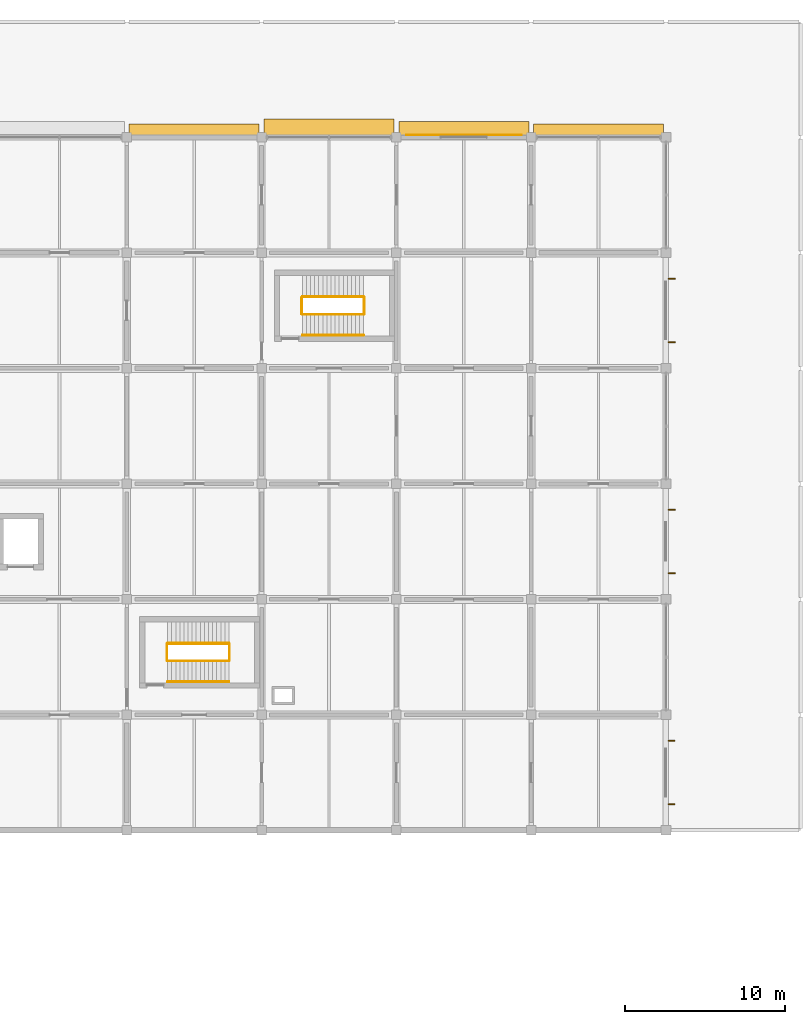
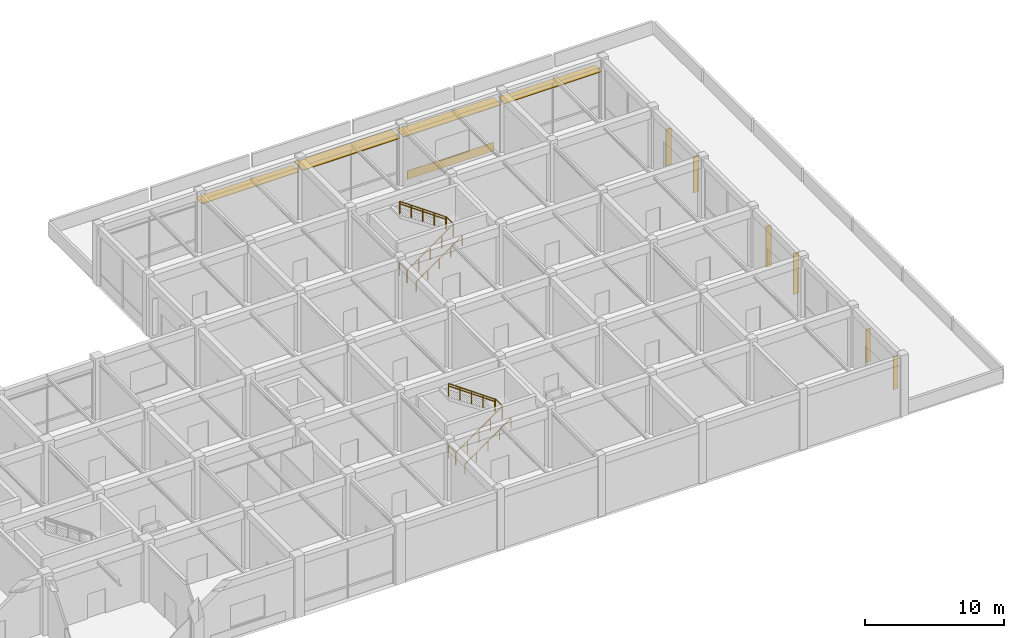
# One storey, part 38 of 38: 12 railings, 10 shading devices, 1 covering.
"""IFC4 building model written with IfcOpenShell, lengths in metres."""

from ifc_helpers import new_model, si_unit, derived_unit, direction, frame, origin, origin_2d, place, context, subcontext, project, spatial, rectangle, circle, extrude, material, layer, layer_set, type_object, element, save


model = new_model("IFC4")

# Units and contexts
model_context = context("Model", 3, precision=1e-05, world=origin(), true_north=direction((0.0, 1.0)))
body_context = subcontext(model_context, "Body", "Model", "MODEL_VIEW")
ifc_project = project(units=[si_unit("LENGTHUNIT", "METRE"), si_unit("AREAUNIT", "SQUARE_METRE"), si_unit("VOLUMEUNIT", "CUBIC_METRE"), si_unit("PLANEANGLEUNIT", "RADIAN"), si_unit("MASSUNIT", "GRAM", prefix="KILO"), derived_unit("THERMALTRANSMITTANCEUNIT", [(si_unit("MASSUNIT", "GRAM", prefix="KILO"), 1), (si_unit("TIMEUNIT", "SECOND"), -3), (si_unit("THERMODYNAMICTEMPERATUREUNIT", "KELVIN"), -1)])], contexts=[model_context])

# Site, building, storey
site_placement = place(None, origin())
site = spatial("IfcSite", under=ifc_project, at=site_placement, CompositionType="ELEMENT")
building_placement = place(site_placement, origin())
building = spatial("IfcBuilding", under=site, at=building_placement, Name="Veldstrom Oceanarium and Marine Research Institute", CompositionType="ELEMENT")
storey_placement = place(building_placement, frame((0.0, 0.0, 11.39990234375)))
storey = spatial("IfcBuildingStorey", under=building, at=storey_placement, Name="L02", CompositionType="ELEMENT", Elevation=11.39990234375)

# Covering
ifc_material_1 = material(Name="Anodised Aluminium Spandrel Rainscreen Cladding", Category="aluminium")
ifc_layer_1 = layer(ifc_material_1, 0.75)
ifc_layer_set_1 = layer_set([ifc_layer_1], Name="ARC-COV-CD1")
covering_type = type_object("IfcCoveringType", Name="ARC-COV-CD1", PredefinedType="CLADDING", material=ifc_layer_set_1)
covering_placement = place(storey_placement, frame((147.0, 86.53857421875, 0.045166015625), z_axis=(0.0, 0.0, 1.0), x_axis=(1.0, 0.0, 0.0)))
element("IfcCovering", 1, at=covering_placement, inside=storey, type_object=covering_type, Name="Spandrel Rainscreen Cladding L02-082", PredefinedType="CLADDING", context=body_context, shape_type="SweptSolid", body=[
    extrude(rectangle(XDim=7.199951171875, YDim=0.034912109375, at=origin_2d()), origin(), (0.0, 0.0, 1.0), 0.75),
])

# Railings
ifc_material_2 = material(Name="Duplex Stainless Steel Balustrade", Category="steel")
ifc_layer_2 = layer(ifc_material_2, 0.06005859375)
ifc_layer_set_2 = layer_set([ifc_layer_2], Name="ARC-RLG-GR1")
railing_type_1 = type_object("IfcRailingType", Name="ARC-RLG-GR1", PredefinedType="GUARDRAIL", material=ifc_layer_set_2)
railing_1_placement = place(storey_placement, frame((128.5, 53.800048828125, 0.0)))
element("IfcRailing", 2, at=railing_1_placement, inside=storey, type_object=railing_type_1, Name="Stair Well Landing Guard ST4 L02", PredefinedType="GUARDRAIL", context=body_context, shape_type="SweptSolid", body=[
    extrude(circle(Radius=0.02392578125, at=origin_2d()), frame((0.0, 0.0, 1.09619140625), z_axis=(0.0, 1.0, 0.0), x_axis=(-1.0, 0.0, 0.0)), (0.0, 0.0, 1.0), 1.0),
    extrude(circle(Radius=0.02099609375, at=origin_2d()), origin(), (0.0, 0.0, 1.0), 1.072021484375),
    extrude(circle(Radius=0.02099609375, at=origin_2d()), frame((0.0, 1.0, 0.0)), (0.0, 0.0, 1.0), 1.072021484375),
])
railing_2_placement = place(storey_placement, frame((128.5400390625, 53.760009765625, 0.0)))
element("IfcRailing", 3, at=railing_2_placement, inside=storey, type_object=railing_type_1, Name="Stair Flight Guardrail ST4-L02-1", PredefinedType="GUARDRAIL", context=body_context, shape_type="SweptSolid", body=[
    extrude(circle(Radius=0.02392578125, at=origin_2d()), frame((0.0, 0.0, 1.09619140625), z_axis=(0.816944740886, 0.0, 0.576715952908), x_axis=(0.0, 1.0, 0.0)), (0.0, 0.0, 1.0), 4.68212890625),
    extrude(circle(Radius=0.02099609375, at=origin_2d()), origin(), (0.0, 0.0, 1.0), 1.072021484375),
    extrude(circle(Radius=0.02099609375, at=origin_2d()), frame((0.956298828125, 0.0, 0.675048828125)), (0.0, 0.0, 1.0), 1.072021484375),
    extrude(circle(Radius=0.02099609375, at=origin_2d()), frame((1.91259765625, 0.0, 1.35009765625)), (0.0, 0.0, 1.0), 1.072021484375),
    extrude(circle(Radius=0.02099609375, at=origin_2d()), frame((2.86865234375, 0.0, 2.025146484375)), (0.0, 0.0, 1.0), 1.072021484375),
    extrude(circle(Radius=0.02099609375, at=origin_2d()), frame((3.824951171875, 0.0, 2.7001953125)), (0.0, 0.0, 1.0), 1.072021484375),
])
railing_3_placement = place(storey_placement, frame((132.405029296875, 53.800048828125, 2.7001953125)))
element("IfcRailing", 4, at=railing_3_placement, inside=storey, type_object=railing_type_1, Name="Stair Half-Landing Guardrail ST4-L02", PredefinedType="GUARDRAIL", context=body_context, shape_type="SweptSolid", body=[
    extrude(circle(Radius=0.02392578125, at=origin_2d()), frame((0.0, 0.0, 1.09619140625), z_axis=(0.0, 1.0, 0.0), x_axis=(-1.0, 0.0, 0.0)), (0.0, 0.0, 1.0), 1.0),
    extrude(circle(Radius=0.02099609375, at=origin_2d()), origin(), (0.0, 0.0, 1.0), 1.072021484375),
    extrude(circle(Radius=0.02099609375, at=origin_2d()), frame((0.0, 1.0, 0.0)), (0.0, 0.0, 1.0), 1.072021484375),
])
railing_4_placement = place(storey_placement, frame((132.364990234375, 54.840087890625, 2.7001953125)))
element("IfcRailing", 5, at=railing_4_placement, inside=storey, type_object=railing_type_1, Name="Stair Flight Guardrail ST4-L02-2", PredefinedType="GUARDRAIL", context=body_context, shape_type="SweptSolid", body=[
    extrude(circle(Radius=0.02392578125, at=origin_2d()), frame((0.0, 0.0, 1.09619140625), z_axis=(-0.816969308413, 0.0, 0.5766811503), x_axis=(0.0, -1.0, 0.0)), (0.0, 0.0, 1.0), 4.681884765625),
    extrude(circle(Radius=0.02099609375, at=origin_2d()), origin(), (0.0, 0.0, 1.0), 1.072021484375),
    extrude(circle(Radius=0.02099609375, at=origin_2d()), frame((-0.956298828125, 0.0, 0.675048828125)), (0.0, 0.0, 1.0), 1.072021484375),
    extrude(circle(Radius=0.02099609375, at=origin_2d()), frame((-1.91259765625, 0.0, 1.35009765625)), (0.0, 0.0, 1.0), 1.072021484375),
    extrude(circle(Radius=0.02099609375, at=origin_2d()), frame((-2.86865234375, 0.0, 2.02490234375)), (0.0, 0.0, 1.0), 1.072021484375),
    extrude(circle(Radius=0.02099609375, at=origin_2d()), frame((-3.824951171875, 0.0, 2.699951171875)), (0.0, 0.0, 1.0), 1.072021484375),
])
railing_5_placement = place(storey_placement, frame((136.89990234375, 75.39990234375, 0.0)))
element("IfcRailing", 6, at=railing_5_placement, inside=storey, type_object=railing_type_1, Name="Stair Well Landing Guard ST7 L02", PredefinedType="GUARDRAIL", context=body_context, shape_type="SweptSolid", body=[
    extrude(circle(Radius=0.02392578125, at=origin_2d()), frame((0.0, 0.0, 1.09619140625), z_axis=(0.0, 1.0, 0.0), x_axis=(-1.0, 0.0, 0.0)), (0.0, 0.0, 1.0), 1.0),
    extrude(circle(Radius=0.02099609375, at=origin_2d()), origin(), (0.0, 0.0, 1.0), 1.072021484375),
    extrude(circle(Radius=0.02099609375, at=origin_2d()), frame((0.0, 1.0, 0.0)), (0.0, 0.0, 1.0), 1.072021484375),
])
railing_6_placement = place(storey_placement, frame((136.93994140625, 75.360107421875, 0.0)))
element("IfcRailing", 7, at=railing_6_placement, inside=storey, type_object=railing_type_1, Name="Stair Flight Guardrail ST7-L02-1", PredefinedType="GUARDRAIL", context=body_context, shape_type="SweptSolid", body=[
    extrude(circle(Radius=0.02392578125, at=origin_2d()), frame((0.0, 0.0, 1.09619140625), z_axis=(0.816944740886, 0.0, 0.576715952908), x_axis=(0.0, 1.0, 0.0)), (0.0, 0.0, 1.0), 4.68212890625),
    extrude(circle(Radius=0.02099609375, at=origin_2d()), origin(), (0.0, 0.0, 1.0), 1.072021484375),
    extrude(circle(Radius=0.02099609375, at=origin_2d()), frame((0.956298828125, 0.0, 0.675048828125)), (0.0, 0.0, 1.0), 1.072021484375),
    extrude(circle(Radius=0.02099609375, at=origin_2d()), frame((1.91259765625, 0.0, 1.35009765625)), (0.0, 0.0, 1.0), 1.072021484375),
    extrude(circle(Radius=0.02099609375, at=origin_2d()), frame((2.86865234375, 0.0, 2.025146484375)), (0.0, 0.0, 1.0), 1.072021484375),
    extrude(circle(Radius=0.02099609375, at=origin_2d()), frame((3.824951171875, 0.0, 2.7001953125)), (0.0, 0.0, 1.0), 1.072021484375),
])
railing_7_placement = place(storey_placement, frame((140.804931640625, 75.39990234375, 2.7001953125)))
element("IfcRailing", 8, at=railing_7_placement, inside=storey, type_object=railing_type_1, Name="Stair Half-Landing Guardrail ST7-L02", PredefinedType="GUARDRAIL", context=body_context, shape_type="SweptSolid", body=[
    extrude(circle(Radius=0.02392578125, at=origin_2d()), frame((0.0, 0.0, 1.09619140625), z_axis=(0.0, 1.0, 0.0), x_axis=(-1.0, 0.0, 0.0)), (0.0, 0.0, 1.0), 1.0),
    extrude(circle(Radius=0.02099609375, at=origin_2d()), origin(), (0.0, 0.0, 1.0), 1.072021484375),
    extrude(circle(Radius=0.02099609375, at=origin_2d()), frame((0.0, 1.0, 0.0)), (0.0, 0.0, 1.0), 1.072021484375),
])
railing_8_placement = place(storey_placement, frame((140.764892578125, 76.43994140625, 2.7001953125)))
element("IfcRailing", 9, at=railing_8_placement, inside=storey, type_object=railing_type_1, Name="Stair Flight Guardrail ST7-L02-2", PredefinedType="GUARDRAIL", context=body_context, shape_type="SweptSolid", body=[
    extrude(circle(Radius=0.02392578125, at=origin_2d()), frame((0.0, 0.0, 1.09619140625), z_axis=(-0.816969308413, 0.0, 0.5766811503), x_axis=(0.0, -1.0, 0.0)), (0.0, 0.0, 1.0), 4.681884765625),
    extrude(circle(Radius=0.02099609375, at=origin_2d()), origin(), (0.0, 0.0, 1.0), 1.072021484375),
    extrude(circle(Radius=0.02099609375, at=origin_2d()), frame((-0.956298828125, 0.0, 0.675048828125)), (0.0, 0.0, 1.0), 1.072021484375),
    extrude(circle(Radius=0.02099609375, at=origin_2d()), frame((-1.91259765625, 0.0, 1.35009765625)), (0.0, 0.0, 1.0), 1.072021484375),
    extrude(circle(Radius=0.02099609375, at=origin_2d()), frame((-2.86865234375, 0.0, 2.02490234375)), (0.0, 0.0, 1.0), 1.072021484375),
    extrude(circle(Radius=0.02099609375, at=origin_2d()), frame((-3.824951171875, 0.0, 2.699951171875)), (0.0, 0.0, 1.0), 1.072021484375),
])
ifc_material_3 = material(Name="Brushed Stainless Steel Handrail", Category="steel")
ifc_layer_3 = layer(ifc_material_3, 0.050048828125)
ifc_layer_set_3 = layer_set([ifc_layer_3], Name="ARC-RLG-HR1")
railing_type_2 = type_object("IfcRailingType", Name="ARC-RLG-HR1", PredefinedType="HANDRAIL", material=ifc_layer_set_3)
railing_9_placement = place(storey_placement, frame((128.5400390625, 52.4599609375, 0.0)))
element("IfcRailing", 10, at=railing_9_placement, inside=storey, type_object=railing_type_2, Name="Stair Wall Handrail ST4-L02-1", PredefinedType="HANDRAIL", context=body_context, shape_type="SweptSolid", body=[
    extrude(circle(Radius=0.02392578125, at=origin_2d()), frame((0.0, 0.0, 0.8759765625), z_axis=(0.816944740886, 0.0, 0.576715952908), x_axis=(0.0, 1.0, 0.0)), (0.0, 0.0, 1.0), 4.68212890625),
    extrude(circle(Radius=0.02099609375, at=origin_2d()), origin(), (0.0, 0.0, 1.0), 0.851806640625),
    extrude(circle(Radius=0.02099609375, at=origin_2d()), frame((0.956298828125, 0.0, 0.675048828125)), (0.0, 0.0, 1.0), 0.851806640625),
    extrude(circle(Radius=0.02099609375, at=origin_2d()), frame((1.91259765625, 0.0, 1.35009765625)), (0.0, 0.0, 1.0), 0.851806640625),
    extrude(circle(Radius=0.02099609375, at=origin_2d()), frame((2.86865234375, 0.0, 2.025146484375)), (0.0, 0.0, 1.0), 0.851806640625),
    extrude(circle(Radius=0.02099609375, at=origin_2d()), frame((3.824951171875, 0.0, 2.7001953125)), (0.0, 0.0, 1.0), 0.851806640625),
])
railing_10_placement = place(storey_placement, frame((132.364990234375, 54.860107421875, 2.7001953125)))
element("IfcRailing", 11, at=railing_10_placement, inside=storey, type_object=railing_type_2, Name="Stair Wall Handrail ST4-L02-2", PredefinedType="HANDRAIL", context=body_context, shape_type="SweptSolid", body=[
    extrude(circle(Radius=0.02392578125, at=origin_2d()), frame((0.0, 0.0, 0.8759765625), z_axis=(-0.816969308413, 0.0, 0.5766811503), x_axis=(0.0, -1.0, 0.0)), (0.0, 0.0, 1.0), 4.681884765625),
    extrude(circle(Radius=0.02099609375, at=origin_2d()), origin(), (0.0, 0.0, 1.0), 0.851806640625),
    extrude(circle(Radius=0.02099609375, at=origin_2d()), frame((-0.956298828125, 0.0, 0.675048828125)), (0.0, 0.0, 1.0), 0.851806640625),
    extrude(circle(Radius=0.02099609375, at=origin_2d()), frame((-1.91259765625, 0.0, 1.35009765625)), (0.0, 0.0, 1.0), 0.851806640625),
    extrude(circle(Radius=0.02099609375, at=origin_2d()), frame((-2.86865234375, 0.0, 2.02490234375)), (0.0, 0.0, 1.0), 0.851806640625),
    extrude(circle(Radius=0.02099609375, at=origin_2d()), frame((-3.824951171875, 0.0, 2.699951171875)), (0.0, 0.0, 1.0), 0.851806640625),
])
railing_11_placement = place(storey_placement, frame((136.93994140625, 74.06005859375, 0.0)))
element("IfcRailing", 12, at=railing_11_placement, inside=storey, type_object=railing_type_2, Name="Stair Wall Handrail ST7-L02-1", PredefinedType="HANDRAIL", context=body_context, shape_type="SweptSolid", body=[
    extrude(circle(Radius=0.02392578125, at=origin_2d()), frame((0.0, 0.0, 0.8759765625), z_axis=(0.816944740886, 0.0, 0.576715952908), x_axis=(0.0, 1.0, 0.0)), (0.0, 0.0, 1.0), 4.68212890625),
    extrude(circle(Radius=0.02099609375, at=origin_2d()), origin(), (0.0, 0.0, 1.0), 0.851806640625),
    extrude(circle(Radius=0.02099609375, at=origin_2d()), frame((0.956298828125, 0.0, 0.675048828125)), (0.0, 0.0, 1.0), 0.851806640625),
    extrude(circle(Radius=0.02099609375, at=origin_2d()), frame((1.91259765625, 0.0, 1.35009765625)), (0.0, 0.0, 1.0), 0.851806640625),
    extrude(circle(Radius=0.02099609375, at=origin_2d()), frame((2.86865234375, 0.0, 2.025146484375)), (0.0, 0.0, 1.0), 0.851806640625),
    extrude(circle(Radius=0.02099609375, at=origin_2d()), frame((3.824951171875, 0.0, 2.7001953125)), (0.0, 0.0, 1.0), 0.851806640625),
])
railing_12_placement = place(storey_placement, frame((140.764892578125, 76.4599609375, 2.7001953125)))
element("IfcRailing", 13, at=railing_12_placement, inside=storey, type_object=railing_type_2, Name="Stair Wall Handrail ST7-L02-2", PredefinedType="HANDRAIL", context=body_context, shape_type="SweptSolid", body=[
    extrude(circle(Radius=0.02392578125, at=origin_2d()), frame((0.0, 0.0, 0.8759765625), z_axis=(-0.816969308413, 0.0, 0.5766811503), x_axis=(0.0, -1.0, 0.0)), (0.0, 0.0, 1.0), 4.681884765625),
    extrude(circle(Radius=0.02099609375, at=origin_2d()), origin(), (0.0, 0.0, 1.0), 0.851806640625),
    extrude(circle(Radius=0.02099609375, at=origin_2d()), frame((-0.956298828125, 0.0, 0.675048828125)), (0.0, 0.0, 1.0), 0.851806640625),
    extrude(circle(Radius=0.02099609375, at=origin_2d()), frame((-1.91259765625, 0.0, 1.35009765625)), (0.0, 0.0, 1.0), 0.851806640625),
    extrude(circle(Radius=0.02099609375, at=origin_2d()), frame((-2.86865234375, 0.0, 2.02490234375)), (0.0, 0.0, 1.0), 0.851806640625),
    extrude(circle(Radius=0.02099609375, at=origin_2d()), frame((-3.824951171875, 0.0, 2.699951171875)), (0.0, 0.0, 1.0), 0.851806640625),
])

# Shading devices
ifc_material_4 = material(Name="Precast Terracotta Brise-Soleil Louvre", Category="masonry")
ifc_layer_4 = layer(ifc_material_4, 3.60009765625)
ifc_layer_set_4 = layer_set([ifc_layer_4], Name="ARC-SHD-BS01")
shading_device_type_1 = type_object("IfcShadingDeviceType", Name="ARC-SHD-BS01", PredefinedType="JALOUSIE", material=ifc_layer_set_4)
for number, where, z_axis, x_axis, name in (
    (14, (159.965087890625, 59.219970703125, 0.75), (0.0, 0.0, 1.0), (1.0, 0.0, 0.0), "Terracotta Brise-Soleil Louvre L02-084"),
    (15, (159.965087890625, 63.179931640625, 0.75), (0.0, 0.0, 1.0), (1.0, 0.0, 0.0), "Terracotta Brise-Soleil Louvre L02-084"),
):
    element("IfcShadingDevice", number, at=place(storey_placement, frame(where, z_axis=z_axis, x_axis=x_axis)), inside=storey, type_object=shading_device_type_1, Name=name, PredefinedType="JALOUSIE", context=body_context, shape_type="SweptSolid", body=[
        extrude(rectangle(XDim=0.449951171875, YDim=0.06005859375, at=origin_2d()), origin(), (0.0, 0.0, 1.0), 3.60009765625),
    ])
ifc_material_5 = material(Name="Precast Terracotta Brise-Soleil Louvre", Category="masonry")
ifc_layer_5 = layer(ifc_material_5, 3.199951171875)
ifc_layer_set_5 = layer_set([ifc_layer_5], Name="ARC-SHD-BS02")
shading_device_type_2 = type_object("IfcShadingDeviceType", Name="ARC-SHD-BS02", PredefinedType="JALOUSIE", material=ifc_layer_set_5)
for number, where, z_axis, x_axis, name in (
    (16, (159.955078125, 73.6201171875, 0.9501953125), (0.0, 0.0, 1.0), (1.0, 0.0, 0.0), "Terracotta Brise-Soleil Louvre L02-085"),
    (17, (159.955078125, 77.580078125, 0.9501953125), (0.0, 0.0, 1.0), (1.0, 0.0, 0.0), "Terracotta Brise-Soleil Louvre L02-085"),
):
    element("IfcShadingDevice", number, at=place(storey_placement, frame(where, z_axis=z_axis, x_axis=x_axis)), inside=storey, type_object=shading_device_type_2, Name=name, PredefinedType="JALOUSIE", context=body_context, shape_type="SweptSolid", body=[
        extrude(rectangle(XDim=0.449951171875, YDim=0.06005859375, at=origin_2d()), origin(), (0.0, 0.0, 1.0), 3.199951171875),
    ])
ifc_material_6 = material(Name="Precast Terracotta Brise-Soleil Louvre", Category="masonry")
ifc_layer_6 = layer(ifc_material_6, 2.89990234375)
ifc_layer_set_6 = layer_set([ifc_layer_6], Name="ARC-SHD-BS04")
shading_device_type_3 = type_object("IfcShadingDeviceType", Name="ARC-SHD-BS04", PredefinedType="JALOUSIE", material=ifc_layer_set_6)
for number, where, z_axis, x_axis, name in (
    (18, (159.949951171875, 44.820068359375, 1.10009765625), (0.0, 0.0, 1.0), (1.0, 0.0, 0.0), "Terracotta Brise-Soleil Louvre L02-083"),
    (19, (159.949951171875, 48.780029296875, 1.10009765625), (0.0, 0.0, 1.0), (1.0, 0.0, 0.0), "Terracotta Brise-Soleil Louvre L02-083"),
):
    element("IfcShadingDevice", number, at=place(storey_placement, frame(where, z_axis=z_axis, x_axis=x_axis)), inside=storey, type_object=shading_device_type_3, Name=name, PredefinedType="JALOUSIE", context=body_context, shape_type="SweptSolid", body=[
        extrude(rectangle(XDim=0.39990234375, YDim=0.054931640625, at=origin_2d()), origin(), (0.0, 0.0, 1.0), 2.89990234375),
    ])
ifc_material_7 = material(Name="Perforated Anodised Aluminium Louvre", Category="aluminium")
ifc_layer_7 = layer(ifc_material_7, 0.054931640625)
ifc_layer_set_7 = layer_set([ifc_layer_7], Name="ARC-SHD-SH01")
shading_device_type_4 = type_object("IfcShadingDeviceType", Name="ARC-SHD-SH01", PredefinedType="AWNING", material=ifc_layer_set_7)
shading_device_1_placement = place(storey_placement, frame((138.60009765625, 86.905029296875, 4.05029296875), z_axis=(0.0, 0.0, 1.0), x_axis=(1.0, 0.0, 0.0)))
element("IfcShadingDevice", 20, at=shading_device_1_placement, inside=storey, type_object=shading_device_type_4, Name="North Solar Canopy Louvre L02-17", PredefinedType="AWNING", context=body_context, shape_type="SweptSolid", body=[
    extrude(rectangle(XDim=8.10009765625, YDim=1.25, at=origin_2d()), origin(), (0.0, 0.0, 1.0), 0.054931640625),
])
ifc_material_8 = material(Name="Perforated Anodised Aluminium Louvre", Category="aluminium")
ifc_layer_8 = layer(ifc_material_8, 0.050048828125)
ifc_layer_set_8 = layer_set([ifc_layer_8], Name="ARC-SHD-SH02")
shading_device_type_5 = type_object("IfcShadingDeviceType", Name="ARC-SHD-SH02", PredefinedType="AWNING", material=ifc_layer_set_8)
shading_device_2_placement = place(storey_placement, frame((147.0, 86.830078125, 4.05029296875), z_axis=(0.0, 0.0, 1.0), x_axis=(1.0, 0.0, 0.0)))
element("IfcShadingDevice", 21, at=shading_device_2_placement, inside=storey, type_object=shading_device_type_5, Name="North Solar Canopy Louvre L02-18", PredefinedType="AWNING", context=body_context, shape_type="SweptSolid", body=[
    extrude(rectangle(XDim=8.10009765625, YDim=1.10009765625, at=origin_2d()), origin(), (0.0, 0.0, 1.0), 0.050048828125),
])
ifc_material_9 = material(Name="Perforated Anodised Aluminium Louvre", Category="aluminium")
ifc_layer_9 = layer(ifc_material_9, 0.044921875)
ifc_layer_set_9 = layer_set([ifc_layer_9], Name="ARC-SHD-SH03")
shading_device_type_6 = type_object("IfcShadingDeviceType", Name="ARC-SHD-SH03", PredefinedType="AWNING", material=ifc_layer_set_9)
for number, where, z_axis, x_axis, name in (
    (22, (130.199951171875, 86.7548828125, 4.050048828125), (0.0, 0.0, 1.0), (1.0, 0.0, 0.0), "North Solar Canopy Louvre L02-16"),
    (23, (155.39990234375, 86.7548828125, 4.050048828125), (0.0, 0.0, 1.0), (1.0, 0.0, 0.0), "North Solar Canopy Louvre L02-19"),
):
    element("IfcShadingDevice", number, at=place(storey_placement, frame(where, z_axis=z_axis, x_axis=x_axis)), inside=storey, type_object=shading_device_type_6, Name=name, PredefinedType="AWNING", context=body_context, shape_type="SweptSolid", body=[
        extrude(rectangle(XDim=8.10009765625, YDim=0.949951171875, at=origin_2d()), origin(), (0.0, 0.0, 1.0), 0.044921875),
    ])

save(model, "model.ifc")
